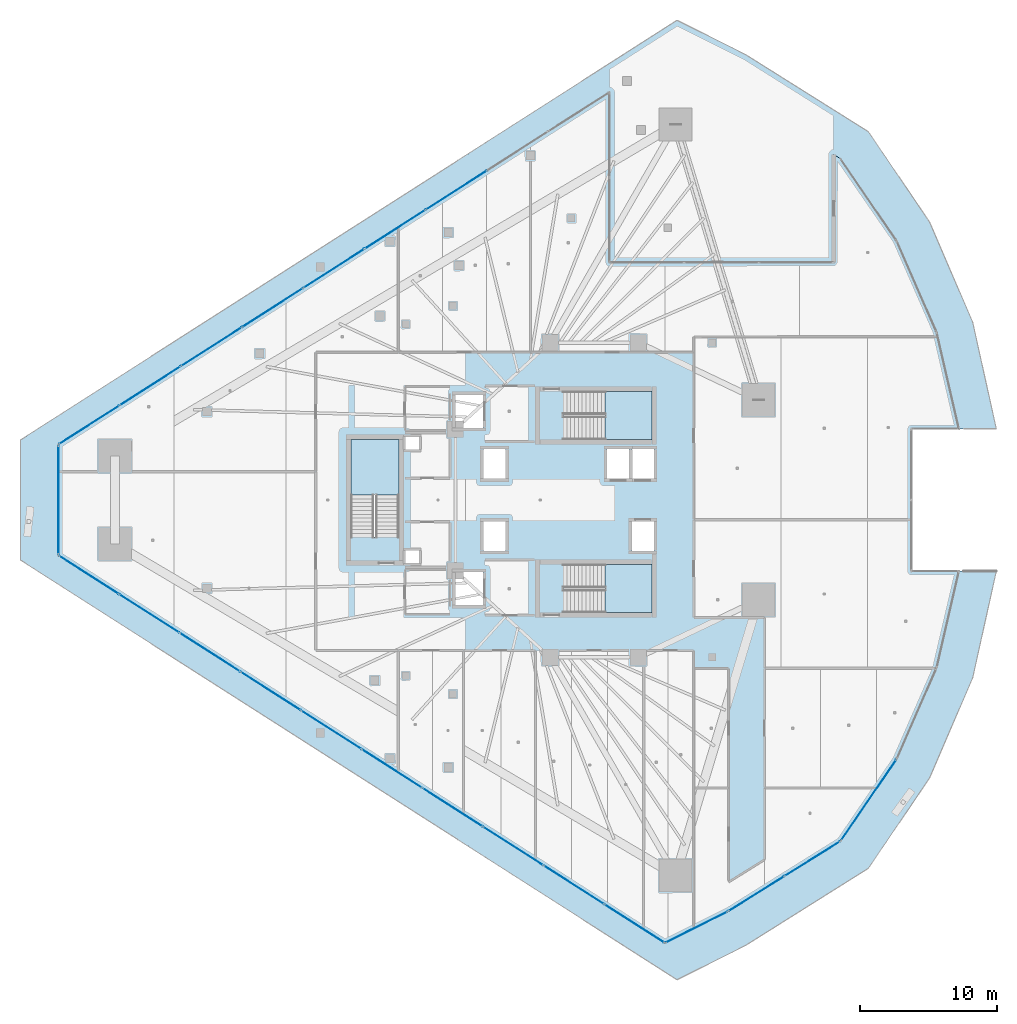
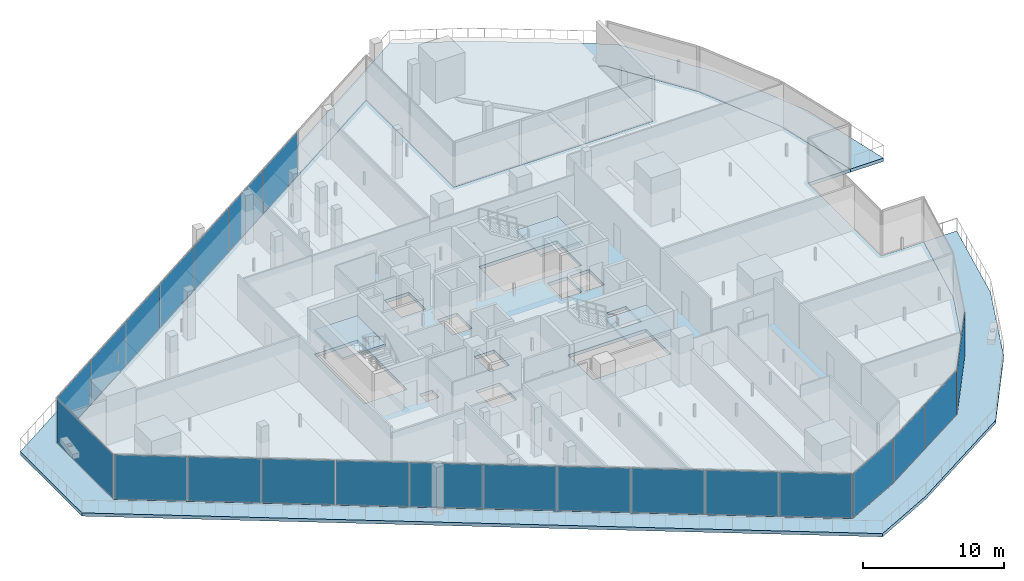
# One storey, part 27 of 44: 22 plates, 5 slabs, 9 elements without a shape of their own.
"""IFC4 building model written with IfcOpenShell, lengths in metres."""

from ifc_helpers import new_model, si_unit, direction, frame, origin, origin_2d, place, context, subcontext, project, spatial, polyline, rectangle, outline, extrude, material, layer, layer_set, type_object, element, aggregate, save


model = new_model("IFC4")

# Units and contexts
model_context = context("Model", 3, precision=1e-05, world=origin(), true_north=direction((0.0, 1.0)))
body_context = subcontext(model_context, "Body", "Model", "MODEL_VIEW")
ifc_project = project(units=[si_unit("LENGTHUNIT", "METRE"), si_unit("AREAUNIT", "SQUARE_METRE"), si_unit("VOLUMEUNIT", "CUBIC_METRE"), si_unit("PLANEANGLEUNIT", "RADIAN"), si_unit("MASSUNIT", "GRAM", prefix="KILO")], contexts=[model_context])

# Site, building, storey
site_placement = place(None, origin())
site = spatial("IfcSite", under=ifc_project, at=site_placement, CompositionType="ELEMENT")
building_placement = place(site_placement, origin())
building = spatial("IfcBuilding", under=site, at=building_placement, Name="Qorvath Tower", CompositionType="ELEMENT")
storey_placement = place(building_placement, frame((0.0, 0.0, 78.60009765625)))
storey = spatial("IfcBuildingStorey", under=building, at=storey_placement, Name="L17", CompositionType="ELEMENT", Elevation=78.60009765625)

# Curtain wall, plates
ifc_material_1 = material(Name="Anodised aluminium and triple low-E glass", Category="aluminium")
ifc_layer_1 = layer(ifc_material_1, 0.179931640625)
ifc_layer_set_1 = layer_set([ifc_layer_1], Name="CW-SYS-5")
curtain_wall_type = type_object("IfcCurtainWallType", Name="CW-SYS-5", PredefinedType="NOTDEFINED", material=ifc_layer_set_1)
curtain_wall_1_placement = place(storey_placement, origin())
curtain_wall_1 = element("IfcCurtainWall", 1, at=curtain_wall_1_placement, inside=storey, type_object=curtain_wall_type, Name="Curtain Wall CW-5 CW-T-L17-4.1", PredefinedType="NOTDEFINED")
ifc_material_2 = material(Name="Low-E triple insulated glass", Category="glass")
ifc_layer_2 = layer(ifc_material_2, 0.031982421875)
ifc_layer_set_2 = layer_set([ifc_layer_2], Name="CWP-GLZ-32")
plate_type = type_object("IfcPlateType", Name="CWP-GLZ-32", PredefinedType="CURTAIN_PANEL", material=ifc_layer_set_2)
plate_1_placement = place(storey_placement, frame((-30.42333984375, 22.547607421875, 0.06494140625), z_axis=(0.0, 0.0, 1.0), x_axis=(-0.842604180763, -0.538533373675, 0.0)))
plate_1 = element("IfcPlate", 2, at=plate_1_placement, type_object=plate_type, Name="CW-5 panel 3.1", PredefinedType="CURTAIN_PANEL", context=body_context, shape_type="SweptSolid", body=[
    extrude(rectangle(XDim=5.21484375, YDim=0.031982421875, at=origin_2d()), origin(), (0.0, 0.0, 1.0), 3.789794921875),
])
plate_2_placement = place(storey_placement, frame((-34.880615234375, 19.698974609375, 0.06494140625), z_axis=(0.0, 0.0, 1.0), x_axis=(-0.842604180763, -0.538533373675, 0.0)))
plate_2 = element("IfcPlate", 3, at=plate_2_placement, type_object=plate_type, Name="CW-5 panel 4.1", PredefinedType="CURTAIN_PANEL", context=body_context, shape_type="SweptSolid", body=[
    extrude(rectangle(XDim=5.21484375, YDim=0.031982421875, at=origin_2d()), origin(), (0.0, 0.0, 1.0), 3.789794921875),
])
plate_3_placement = place(storey_placement, frame((-39.337890625, 16.85009765625, 0.06494140625), z_axis=(0.0, 0.0, 1.0), x_axis=(-0.842604180763, -0.538533373675, 0.0)))
plate_3 = element("IfcPlate", 4, at=plate_3_placement, type_object=plate_type, Name="CW-5 panel 5.1", PredefinedType="CURTAIN_PANEL", context=body_context, shape_type="SweptSolid", body=[
    extrude(rectangle(XDim=5.21484375, YDim=0.031982421875, at=origin_2d()), origin(), (0.0, 0.0, 1.0), 3.789794921875),
])
plate_4_placement = place(storey_placement, frame((-43.795166015625, 14.001220703125, 0.06494140625), z_axis=(0.0, 0.0, 1.0), x_axis=(-0.842604180763, -0.538533373675, 0.0)))
plate_4 = element("IfcPlate", 5, at=plate_4_placement, type_object=plate_type, Name="CW-5 panel 6.1", PredefinedType="CURTAIN_PANEL", context=body_context, shape_type="SweptSolid", body=[
    extrude(rectangle(XDim=5.21484375, YDim=0.031982421875, at=origin_2d()), origin(), (0.0, 0.0, 1.0), 3.789794921875),
])
plate_5_placement = place(storey_placement, frame((-48.25244140625, 11.152587890625, 0.06494140625), z_axis=(0.0, 0.0, 1.0), x_axis=(-0.842604180763, -0.538533373675, 0.0)))
plate_5 = element("IfcPlate", 6, at=plate_5_placement, type_object=plate_type, Name="CW-5 panel 7.1", PredefinedType="CURTAIN_PANEL", context=body_context, shape_type="SweptSolid", body=[
    extrude(rectangle(XDim=5.21484375, YDim=0.031982421875, at=origin_2d()), origin(), (0.0, 0.0, 1.0), 3.789794921875),
])
plate_6_placement = place(storey_placement, frame((-52.709716796875, 8.3037109375, 0.06494140625), z_axis=(0.0, 0.0, 1.0), x_axis=(-0.842604180763, -0.538533373675, 0.0)))
plate_6 = element("IfcPlate", 7, at=plate_6_placement, type_object=plate_type, Name="CW-5 panel 8.1", PredefinedType="CURTAIN_PANEL", context=body_context, shape_type="SweptSolid", body=[
    extrude(rectangle(XDim=5.21484375, YDim=0.031982421875, at=origin_2d()), origin(), (0.0, 0.0, 1.0), 3.789794921875),
])
plate_7_placement = place(storey_placement, frame((-57.1513671875, 5.465087890625, 0.06494140625), z_axis=(0.0, 0.0, 1.0), x_axis=(-0.842604180763, -0.538533373675, 0.0)))
plate_7 = element("IfcPlate", 8, at=plate_7_placement, type_object=plate_type, Name="CW-5 panel 9.1", PredefinedType="CURTAIN_PANEL", context=body_context, shape_type="SweptSolid", body=[
    extrude(rectangle(XDim=5.177490234375, YDim=0.031982421875, at=origin_2d()), origin(), (0.0, 0.0, 1.0), 3.789794921875),
])
aggregate(curtain_wall_1, [plate_1, plate_2, plate_3, plate_4, plate_5, plate_6, plate_7])

# Curtain wall, plate
curtain_wall_2_placement = place(storey_placement, origin())
curtain_wall_2 = element("IfcCurtainWall", 9, at=curtain_wall_2_placement, inside=storey, type_object=curtain_wall_type, Name="Curtain Wall CW-5 CW-T-L17-5.1", PredefinedType="NOTDEFINED")
plate_8_placement = place(storey_placement, frame((-59.395751953125, 0.0, 0.06494140625), z_axis=(0.0, 0.0, 1.0), x_axis=(0.0, -1.0, 0.0)))
plate_8 = element("IfcPlate", 10, at=plate_8_placement, type_object=plate_type, Name="CW-5 panel 1.1", PredefinedType="CURTAIN_PANEL", context=body_context, shape_type="SweptSolid", body=[
    extrude(rectangle(XDim=7.910888671875, YDim=0.031982421875, at=origin_2d()), origin(), (0.0, 0.0, 1.0), 3.789794921875),
])
aggregate(curtain_wall_2, [plate_8])

# Curtain wall, plates
curtain_wall_3_placement = place(storey_placement, origin())
curtain_wall_3 = element("IfcCurtainWall", 11, at=curtain_wall_3_placement, inside=storey, type_object=curtain_wall_type, Name="Curtain Wall CW-5 CW-T-L17-6.1", PredefinedType="NOTDEFINED")
plate_9_placement = place(storey_placement, frame((-57.1728515625, -5.451171875, 0.06494140625), z_axis=(0.0, 0.0, 1.0), x_axis=(0.842604306439, -0.538533177038, 0.0)))
plate_9 = element("IfcPlate", 12, at=plate_9_placement, type_object=plate_type, Name="CW-5 panel 1.1", PredefinedType="CURTAIN_PANEL", context=body_context, shape_type="SweptSolid", body=[
    extrude(rectangle(XDim=5.12646484375, YDim=0.031982421875, at=origin_2d()), origin(), (0.0, 0.0, 1.0), 3.789794921875),
])
plate_10_placement = place(storey_placement, frame((-52.774169921875, -8.262451171875, 0.06494140625), z_axis=(0.0, 0.0, 1.0), x_axis=(0.842604306439, -0.538533177038, 0.0)))
plate_10 = element("IfcPlate", 13, at=plate_10_placement, type_object=plate_type, Name="CW-5 panel 2.1", PredefinedType="CURTAIN_PANEL", context=body_context, shape_type="SweptSolid", body=[
    extrude(rectangle(XDim=5.1640625, YDim=0.031982421875, at=origin_2d()), origin(), (0.0, 0.0, 1.0), 3.789794921875),
])
plate_11_placement = place(storey_placement, frame((-48.35986328125, -11.083984375, 0.06494140625), z_axis=(0.0, 0.0, 1.0), x_axis=(0.842604306439, -0.538533177038, 0.0)))
plate_11 = element("IfcPlate", 14, at=plate_11_placement, type_object=plate_type, Name="CW-5 panel 3.1", PredefinedType="CURTAIN_PANEL", context=body_context, shape_type="SweptSolid", body=[
    extrude(rectangle(XDim=5.1640625, YDim=0.031982421875, at=origin_2d()), origin(), (0.0, 0.0, 1.0), 3.789794921875),
])
plate_12_placement = place(storey_placement, frame((-43.945556640625, -13.9052734375, 0.06494140625), z_axis=(0.0, 0.0, 1.0), x_axis=(0.842604306439, -0.538533177038, 0.0)))
plate_12 = element("IfcPlate", 15, at=plate_12_placement, type_object=plate_type, Name="CW-5 panel 4.1", PredefinedType="CURTAIN_PANEL", context=body_context, shape_type="SweptSolid", body=[
    extrude(rectangle(XDim=5.1640625, YDim=0.031982421875, at=origin_2d()), origin(), (0.0, 0.0, 1.0), 3.789794921875),
])
plate_13_placement = place(storey_placement, frame((-39.531005859375, -16.7265625, 0.06494140625), z_axis=(0.0, 0.0, 1.0), x_axis=(0.842604306439, -0.538533177038, 0.0)))
plate_13 = element("IfcPlate", 16, at=plate_13_placement, type_object=plate_type, Name="CW-5 panel 5.1", PredefinedType="CURTAIN_PANEL", context=body_context, shape_type="SweptSolid", body=[
    extrude(rectangle(XDim=5.1640625, YDim=0.031982421875, at=origin_2d()), origin(), (0.0, 0.0, 1.0), 3.789794921875),
])
plate_14_placement = place(storey_placement, frame((-35.11669921875, -19.548095703125, 0.06494140625), z_axis=(0.0, 0.0, 1.0), x_axis=(0.842604306439, -0.538533177038, 0.0)))
plate_14 = element("IfcPlate", 17, at=plate_14_placement, type_object=plate_type, Name="CW-5 panel 6.1", PredefinedType="CURTAIN_PANEL", context=body_context, shape_type="SweptSolid", body=[
    extrude(rectangle(XDim=5.1640625, YDim=0.031982421875, at=origin_2d()), origin(), (0.0, 0.0, 1.0), 3.789794921875),
])
plate_15_placement = place(storey_placement, frame((-30.702392578125, -22.369384765625, 0.06494140625), z_axis=(0.0, 0.0, 1.0), x_axis=(0.842604306439, -0.538533177038, 0.0)))
plate_15 = element("IfcPlate", 18, at=plate_15_placement, type_object=plate_type, Name="CW-5 panel 7.1", PredefinedType="CURTAIN_PANEL", context=body_context, shape_type="SweptSolid", body=[
    extrude(rectangle(XDim=5.1640625, YDim=0.031982421875, at=origin_2d()), origin(), (0.0, 0.0, 1.0), 3.789794921875),
])
plate_16_placement = place(storey_placement, frame((-26.287841796875, -25.190673828125, 0.06494140625), z_axis=(0.0, 0.0, 1.0), x_axis=(0.842604306439, -0.538533177038, 0.0)))
plate_16 = element("IfcPlate", 19, at=plate_16_placement, type_object=plate_type, Name="CW-5 panel 8.1", PredefinedType="CURTAIN_PANEL", context=body_context, shape_type="SweptSolid", body=[
    extrude(rectangle(XDim=5.1640625, YDim=0.031982421875, at=origin_2d()), origin(), (0.0, 0.0, 1.0), 3.789794921875),
])
plate_17_placement = place(storey_placement, frame((-21.87353515625, -28.011962890625, 0.06494140625), z_axis=(0.0, 0.0, 1.0), x_axis=(0.842604306439, -0.538533177038, 0.0)))
plate_17 = element("IfcPlate", 20, at=plate_17_placement, type_object=plate_type, Name="CW-5 panel 9.1", PredefinedType="CURTAIN_PANEL", context=body_context, shape_type="SweptSolid", body=[
    extrude(rectangle(XDim=5.1640625, YDim=0.031982421875, at=origin_2d()), origin(), (0.0, 0.0, 1.0), 3.789794921875),
])
plate_18_placement = place(storey_placement, frame((-17.47509765625, -30.8232421875, 0.06494140625), z_axis=(0.0, 0.0, 1.0), x_axis=(0.842604306439, -0.538533177038, 0.0)))
plate_18 = element("IfcPlate", 21, at=plate_18_placement, type_object=plate_type, Name="CW-5 panel 10.1", PredefinedType="CURTAIN_PANEL", context=body_context, shape_type="SweptSolid", body=[
    extrude(rectangle(XDim=5.12646484375, YDim=0.031982421875, at=origin_2d()), origin(), (0.0, 0.0, 1.0), 3.789794921875),
])
aggregate(curtain_wall_3, [plate_9, plate_10, plate_11, plate_12, plate_13, plate_14, plate_15, plate_16, plate_17, plate_18])

# Curtain wall, plate
curtain_wall_4_placement = place(storey_placement, origin())
curtain_wall_4 = element("IfcCurtainWall", 22, at=curtain_wall_4_placement, inside=storey, type_object=curtain_wall_type, Name="Curtain Wall CW-5 CW-T-L17-7.1", PredefinedType="NOTDEFINED")
plate_19_placement = place(storey_placement, frame((-12.94873046875, -31.092529296875, 0.06494140625), z_axis=(0.0, 0.0, 1.0), x_axis=(0.894431074308, 0.4472058288, 0.0)))
plate_19 = element("IfcPlate", 23, at=plate_19_placement, type_object=plate_type, Name="CW-5 panel 1.1", PredefinedType="CURTAIN_PANEL", context=body_context, shape_type="SweptSolid", body=[
    extrude(rectangle(XDim=5.000244140625, YDim=0.031982421875, at=origin_2d()), origin(), (0.0, 0.0, 1.0), 3.789794921875),
])
aggregate(curtain_wall_4, [plate_19])

# Curtain wall, plates
curtain_wall_5_placement = place(storey_placement, origin())
curtain_wall_5 = element("IfcCurtainWall", 24, at=curtain_wall_5_placement, inside=storey, type_object=curtain_wall_type, Name="Curtain Wall CW-5 CW-T-L17-8.1", PredefinedType="NOTDEFINED")
plate_20_placement = place(storey_placement, frame((-8.582275390625, -28.652587890625, 0.06494140625), z_axis=(0.0, 0.0, 1.0), x_axis=(0.848219351358, 0.529645100027, 0.0)))
plate_20 = element("IfcPlate", 25, at=plate_20_placement, type_object=plate_type, Name="CW-5 panel 1.1", PredefinedType="CURTAIN_PANEL", context=body_context, shape_type="SweptSolid", body=[
    extrude(rectangle(XDim=4.71484375, YDim=0.031982421875, at=origin_2d()), origin(), (0.0, 0.0, 1.0), 3.789794921875),
])
plate_21_placement = place(storey_placement, frame((-4.51953125, -26.11572265625, 0.06494140625), z_axis=(0.0, 0.0, 1.0), x_axis=(0.848219351358, 0.529645100027, 0.0)))
plate_21 = element("IfcPlate", 26, at=plate_21_placement, type_object=plate_type, Name="CW-5 panel 2.1", PredefinedType="CURTAIN_PANEL", context=body_context, shape_type="SweptSolid", body=[
    extrude(rectangle(XDim=4.71484375, YDim=0.031982421875, at=origin_2d()), origin(), (0.0, 0.0, 1.0), 3.789794921875),
])
aggregate(curtain_wall_5, [plate_20, plate_21])

# Curtain wall, plate
curtain_wall_6_placement = place(storey_placement, origin())
curtain_wall_6 = element("IfcCurtainWall", 27, at=curtain_wall_6_placement, inside=storey, type_object=curtain_wall_type, Name="Curtain Wall CW-5 CW-T-L17-9.1", PredefinedType="NOTDEFINED")
plate_22_placement = place(storey_placement, frame((-0.416748046875, -21.84130859375, 0.06494140625), z_axis=(0.0, 0.0, 1.0), x_axis=(0.563998211602, 0.825776009163, 0.0)))
plate_22 = element("IfcPlate", 28, at=plate_22_placement, type_object=plate_type, Name="CW-5 panel 1.1", PredefinedType="CURTAIN_PANEL", context=body_context, shape_type="SweptSolid", body=[
    extrude(rectangle(XDim=7.08251953125, YDim=0.031982421875, at=origin_2d()), origin(), (0.0, 0.0, 1.0), 3.789794921875),
])
aggregate(curtain_wall_6, [plate_22])

# Stair, slab
ifc_material_3 = material(Name="Concrete C50/60", Category="concrete")
stair_type = type_object("IfcStairType", Name="ST-H420", PredefinedType="HALF_TURN_STAIR", material=ifc_material_3)
stair_1_placement = place(storey_placement, origin())
stair_1 = element("IfcStair", 29, at=stair_1_placement, inside=storey, type_object=stair_type, Name="L17 Tower Exit Stair 1", PredefinedType="HALF_TURN_STAIR")
ifc_material_4 = material(Name="Concrete C50/60", Category="concrete")
ifc_layer_3 = layer(ifc_material_4, 0.199951171875)
ifc_layer_set_3 = layer_set([ifc_layer_3], Name="SL-LND-200")
slab_type_1 = type_object("IfcSlabType", Name="SL-LND-200", PredefinedType="LANDING", material=ifc_layer_set_3)
slab_1_placement = place(storey_placement, frame((0.0, 0.0, 1.89990234375)))
slab_1 = element("IfcSlab", 30, at=slab_1_placement, type_object=slab_type_1, Name="TS1 landing 1", PredefinedType="LANDING", context=body_context, shape_type="SweptSolid", body=[
    extrude(outline(polyline([(-19.590087890625, 4.39990234375), (-16.199951171875, 4.39990234375), (-16.199951171875, 7.909912109375), (-19.590087890625, 7.909912109375), (-19.590087890625, 4.39990234375)])), origin(), (0.0, 0.0, 1.0), 0.199951171875),
])
aggregate(stair_1, [slab_1])

stair_2_placement = place(storey_placement, origin())
stair_2 = element("IfcStair", 31, at=stair_2_placement, inside=storey, type_object=stair_type, Name="L17 Tower Exit Stair 2", PredefinedType="HALF_TURN_STAIR")
slab_2_placement = place(storey_placement, frame((0.0, 0.0, 1.89990234375)))
slab_2 = element("IfcSlab", 32, at=slab_2_placement, type_object=slab_type_1, Name="TS2 landing 1", PredefinedType="LANDING", context=body_context, shape_type="SweptSolid", body=[
    extrude(outline(polyline([(-19.590087890625, -8.199951171875), (-16.199951171875, -8.199951171875), (-16.199951171875, -4.68994140625), (-19.590087890625, -4.68994140625), (-19.590087890625, -8.199951171875)])), origin(), (0.0, 0.0, 1.0), 0.199951171875),
])
aggregate(stair_2, [slab_2])

stair_3_placement = place(storey_placement, origin())
stair_3 = element("IfcStair", 33, at=stair_3_placement, inside=storey, type_object=stair_type, Name="L17 Tower Exit Stair 3", PredefinedType="HALF_TURN_STAIR")
slab_3_placement = place(storey_placement, frame((0.0, 0.0, 1.89990234375)))
slab_3 = element("IfcSlab", 34, at=slab_3_placement, type_object=slab_type_1, Name="TS3 landing 1", PredefinedType="LANDING", context=body_context, shape_type="SweptSolid", body=[
    extrude(outline(polyline([(-34.60009765625, 0.360107421875), (-34.60009765625, 4.39990234375), (-38.110107421875, 4.39990234375), (-38.110107421875, 0.360107421875), (-34.60009765625, 0.360107421875)])), origin(), (0.0, 0.0, 1.0), 0.199951171875),
])
aggregate(stair_3, [slab_3])

# Slabs
ifc_material_5 = material(Name="Precast concrete C45/55", Category="concrete")
ifc_layer_4 = layer(ifc_material_5, 0.280029296875)
ifc_layer_set_4 = layer_set([ifc_layer_4], Name="SL-LOG-280")
slab_type_2 = type_object("IfcSlabType", Name="SL-LOG-280", PredefinedType="FLOOR", material=ifc_layer_set_4)
slab_4_placement = place(storey_placement, frame((0.0, 0.0, -0.280029296875)))
element("IfcSlab", 35, at=slab_4_placement, inside=storey, type_object=slab_type_2, Name="Tower L17 Perimeter Loggia and Terrace Slab", PredefinedType="FLOOR", context=body_context, shape_type="SweptSolid", body=[
    extrude(outline(polyline([(6.15185546875, -5.18408203125), (4.525634765625, -12.23095703125), (1.622802734375, -18.85498046875), (-2.456298828125, -24.827392578125), (-10.6455078125, -29.94091796875), (-15.251953125, -32.244140625), (-59.395751953125, -4.030517578125), (-59.395751953125, 4.030517578125), (-19.280029296875, 29.669677734375), (-19.280029296875, 17.280029296875), (-2.9599609375, 17.280029296875), (-2.9599609375, 25.141845703125), (-2.456298828125, 24.827392578125), (1.622802734375, 18.85498046875), (4.525634765625, 12.23095703125), (6.15185546875, 5.18408203125), (8.867919921875, 5.18408203125), (7.152587890625, 12.934814453125), (4.012939453125, 20.22607421875), (-0.43896484375, 26.798583984375), (-9.375, 32.418701171875), (-14.362548828125, 34.912353515625), (-62.1591796875, 4.364013671875), (-62.1591796875, -4.364013671875), (-14.362548828125, -34.912353515625), (-9.375, -32.418701171875), (-0.43896484375, -26.798583984375), (4.012939453125, -20.22607421875), (7.152587890625, -12.934814453125), (8.867919921875, -5.18408203125), (6.15185546875, -5.18408203125)])), origin(), (0.0, 0.0, 1.0), 0.280029296875),
])
ifc_material_6 = material(Name="Concrete C45/55", Category="concrete")
ifc_layer_5 = layer(ifc_material_6, 0.280029296875)
ifc_layer_set_5 = layer_set([ifc_layer_5], Name="SL-TYP-280")
slab_type_3 = type_object("IfcSlabType", Name="SL-TYP-280", PredefinedType="FLOOR", material=ifc_layer_set_5)
slab_5_placement = place(storey_placement, frame((0.0, 0.0, -0.280029296875)))
element("IfcSlab", 36, at=slab_5_placement, inside=storey, type_object=slab_type_3, Name="Tower L17 Interior Floor Slab", PredefinedType="FLOOR", context=body_context, shape_type="SweptSolid", body=[
    extrude(outline(polyline([(-2.456298828125, 24.827392578125), (-2.9599609375, 25.141845703125), (-2.9599609375, 17.280029296875), (-19.280029296875, 17.280029296875), (-19.280029296875, 29.669677734375), (-59.395751953125, 4.030517578125), (-59.395751953125, -4.030517578125), (-15.251953125, -32.244140625), (-10.6455078125, -29.94091796875), (-2.456298828125, -24.827392578125), (1.622802734375, -18.85498046875), (4.525634765625, -12.23095703125), (6.15185546875, -5.18408203125), (2.69580078125, -5.18408203125), (2.69580078125, 5.18408203125), (6.15185546875, 5.18408203125), (4.525634765625, 12.23095703125), (1.622802734375, 18.85498046875), (-2.456298828125, 24.827392578125)]), holes=[polyline([(-17.64990234375, -3.699951171875), (-17.64990234375, -1.550048828125), (-16.050048828125, -1.550048828125), (-16.050048828125, -3.699951171875), (-17.64990234375, -3.699951171875)]), polyline([(-17.64990234375, 1.550048828125), (-17.64990234375, 3.699951171875), (-16.050048828125, 3.699951171875), (-16.050048828125, 1.550048828125), (-17.64990234375, 1.550048828125)]), polyline([(-16.2451171875, -8.199951171875), (-22.625, -8.199951171875), (-22.625, -4.68994140625), (-16.2451171875, -4.68994140625), (-16.2451171875, -8.199951171875)]), polyline([(-22.625, 4.39990234375), (-22.625, 7.909912109375), (-16.2451171875, 7.909912109375), (-16.2451171875, 4.39990234375), (-22.625, 4.39990234375)]), polyline([(-17.85009765625, 1.550048828125), (-19.449951171875, 1.550048828125), (-19.449951171875, 3.699951171875), (-17.85009765625, 3.699951171875), (-17.85009765625, 1.550048828125)]), polyline([(-28.449951171875, -3.699951171875), (-28.449951171875, -1.550048828125), (-26.85009765625, -1.550048828125), (-26.85009765625, -3.699951171875), (-28.449951171875, -3.699951171875)]), polyline([(-26.85009765625, 1.550048828125), (-28.449951171875, 1.550048828125), (-28.449951171875, 3.699951171875), (-26.85009765625, 3.699951171875), (-26.85009765625, 1.550048828125)]), polyline([(-28.5, -7.64990234375), (-30.5, -7.64990234375), (-30.5, -5.25), (-28.5, -5.25), (-28.5, -7.64990234375)]), polyline([(-30.5, 5.25), (-30.5, 7.64990234375), (-28.5, 7.64990234375), (-28.5, 5.25), (-30.5, 5.25)]), polyline([(-34.14990234375, -4.6201171875), (-34.14990234375, -3.64990234375), (-33.10009765625, -3.64990234375), (-33.10009765625, -4.6201171875), (-34.14990234375, -4.6201171875)]), polyline([(-34.14990234375, 3.64990234375), (-34.14990234375, 4.6201171875), (-33.10009765625, 4.6201171875), (-33.10009765625, 3.64990234375), (-34.14990234375, 3.64990234375)]), polyline([(-34.60009765625, -2.675048828125), (-38.110107421875, -2.675048828125), (-38.110107421875, 4.35498046875), (-34.60009765625, 4.35498046875), (-34.60009765625, -2.675048828125)])]), origin(), (0.0, 0.0, 1.0), 0.280029296875),
])

save(model, "model.ifc")
